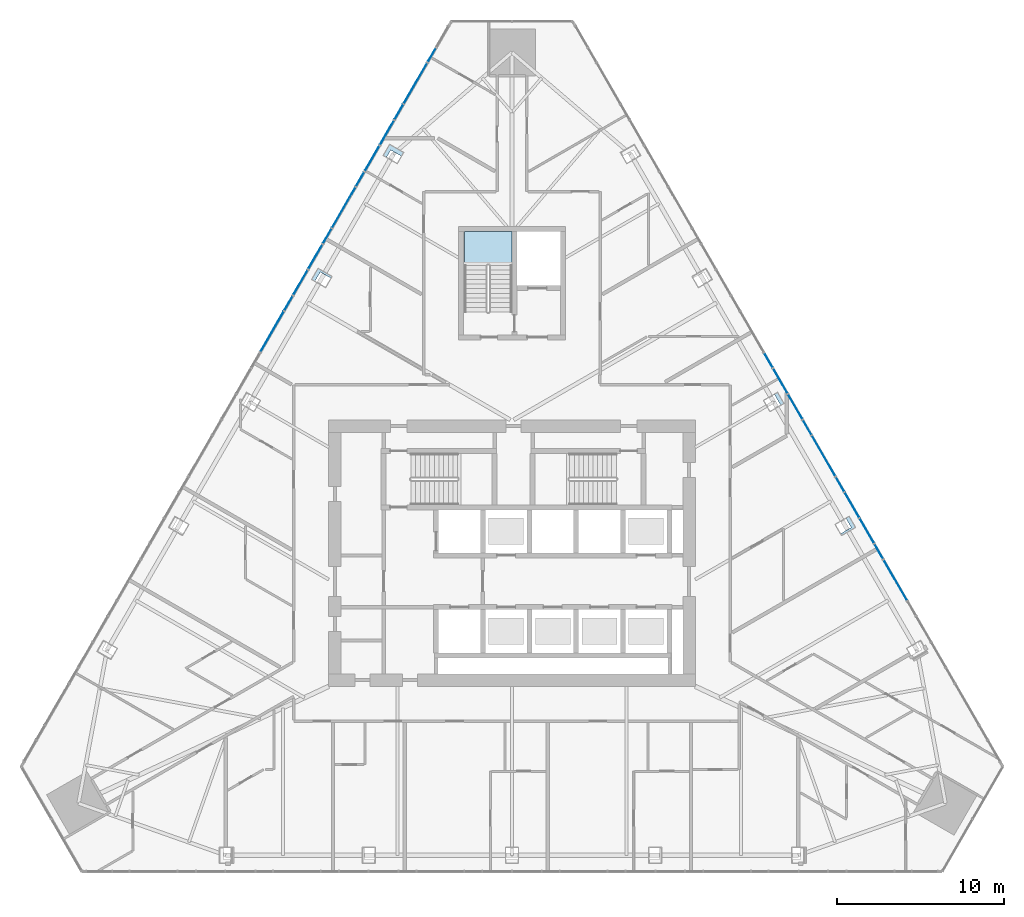
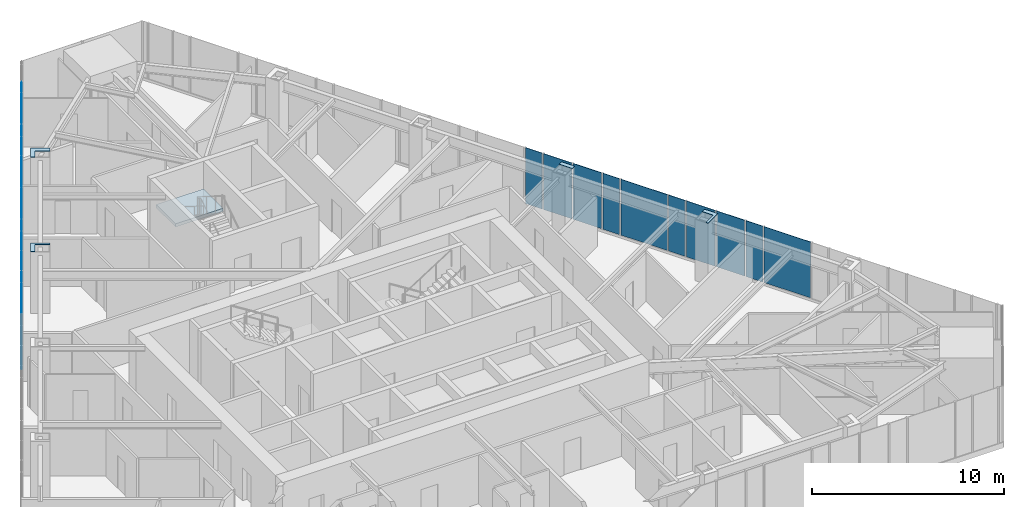
# One storey, part 16 of 24: 27 plates, 1 slab, 3 elements without a shape of their own.
"""IFC4 building model written with IfcOpenShell, lengths in metres."""

from ifc_helpers import new_model, si_unit, direction, frame, origin, place, context, subcontext, project, spatial, polyline, outline, extrude, material, layer, layer_set, type_object, element, aggregate, save


model = new_model("IFC4")

# Units and contexts
model_context = context("Model", 3, precision=1e-05, world=origin(), true_north=direction((0.0, 1.0)))
body_context = subcontext(model_context, "Body", "Model", "MODEL_VIEW")
ifc_project = project(units=[si_unit("LENGTHUNIT", "METRE"), si_unit("AREAUNIT", "SQUARE_METRE"), si_unit("VOLUMEUNIT", "CUBIC_METRE"), si_unit("PLANEANGLEUNIT", "RADIAN"), si_unit("MASSUNIT", "GRAM", prefix="KILO")], contexts=[model_context])

# Site, building, storey
site_placement = place(None, origin())
site = spatial("IfcSite", under=ifc_project, at=site_placement, CompositionType="ELEMENT")
building_placement = place(site_placement, origin())
building = spatial("IfcBuilding", under=site, at=building_placement, Name="Firuza Gate Tower and Library", CompositionType="ELEMENT")
storey_placement = place(building_placement, frame((0.0, 0.0, 206.5)))
storey = spatial("IfcBuildingStorey", under=building, at=storey_placement, Name="L48", CompositionType="ELEMENT", Elevation=206.5)

# Plates
ifc_material_1 = material(Name="Steel S355", Category="steel")
ifc_layer_1 = layer(ifc_material_1, 0.030029296875)
ifc_layer_set_1 = layer_set([ifc_layer_1], Name="Column infill plate 30 Steel S355")
plate_type_1 = type_object("IfcPlateType", Name="Column infill plate 30 Steel S355", PredefinedType="SHEET", material=ifc_layer_set_1)
placement_1 = place(storey_placement, frame((0.0, 0.0, 3.89990234375)))
element("IfcPlate", 1, at=placement_1, inside=storey, type_object=plate_type_1, Name="Infill plate L48:E2", PredefinedType="SHEET", context=body_context, shape_type="SweptSolid", body=[
    extrude(outline(polyline([(95.240966796875, 77.224853515625), (95.033935546875, 77.105224609375), (95.364990234375, 76.531982421875), (94.7060546875, 76.151611328125), (94.775146484375, 76.031982421875), (95.64111328125, 76.531982421875), (95.240966796875, 77.224853515625)])), origin(), (0.0, 0.0, 1.0), 0.030029296875),
])
element("IfcPlate", 2, at=placement_1, inside=storey, type_object=plate_type_1, Name="Infill plate L48:E3", PredefinedType="SHEET", context=body_context, shape_type="SweptSolid", body=[
    extrude(outline(polyline([(90.078125, 84.167236328125), (90.078125, 84.167236328125), (90.737060546875, 84.547607421875), (91.13720703125, 83.85498046875), (91.34423828125, 83.974365234375), (90.944091796875, 84.667236328125), (90.078125, 84.167236328125)])), origin(), (0.0, 0.0, 1.0), 0.030029296875),
])
element("IfcPlate", 3, at=placement_1, inside=storey, type_object=plate_type_1, Name="Infill plate L48:W1", PredefinedType="SHEET", context=body_context, shape_type="SweptSolid", body=[
    extrude(outline(polyline([(67.24951171875, 98.859130859375), (67.45654296875, 98.73974609375), (67.718505859375, 99.193359375), (68.37744140625, 98.81298828125), (68.515625, 99.052001953125), (67.649658203125, 99.552001953125), (67.24951171875, 98.859130859375)])), origin(), (0.0, 0.0, 1.0), 0.030029296875),
])
element("IfcPlate", 4, at=placement_1, inside=storey, type_object=plate_type_1, Name="Infill plate L48:W2", PredefinedType="SHEET", context=body_context, shape_type="SweptSolid", body=[
    extrude(outline(polyline([(62.95263671875, 91.416748046875), (63.15966796875, 91.29736328125), (63.49072265625, 91.87060546875), (64.149658203125, 91.489990234375), (64.21875, 91.609619140625), (63.352783203125, 92.109619140625), (62.95263671875, 91.416748046875)])), origin(), (0.0, 0.0, 1.0), 0.030029296875),
])

# Curtain wall, plates
ifc_material_2 = material(Name="Aluminium 6063-T6", Category="aluminium")
ifc_layer_2 = layer(ifc_material_2, 0.14990234375)
ifc_layer_set_2 = layer_set([ifc_layer_2], Name="Unitised curtain wall, hotel")
curtain_wall_type = type_object("IfcCurtainWallType", Name="Unitised curtain wall, hotel", PredefinedType="NOTDEFINED", material=ifc_layer_set_2)
placement_2 = place(storey_placement, origin())
curtain_wall_1 = element("IfcCurtainWall", 5, at=placement_2, inside=storey, type_object=curtain_wall_type, Name="CW2 L48 E face", PredefinedType="NOTDEFINED")
ifc_material_3 = material(Name="Fritted glass", Category="glass")
ifc_layer_3 = layer(ifc_material_3, 0.030029296875)
ifc_layer_set_3 = layer_set([ifc_layer_3], Name="Fritted glass unit, hotel")
plate_type_2 = type_object("IfcPlateType", Name="Fritted glass unit, hotel", PredefinedType="CURTAIN_PANEL", material=ifc_layer_set_3)
plate_5_placement = place(storey_placement, frame((96.73876953125, 75.611083984375, 0.14990234375), z_axis=(0.865978937756, 0.500080472886, 0.0), x_axis=(-0.500080472886, 0.865978937756, 0.0)))
plate_5 = element("IfcPlate", 6, at=plate_5_placement, type_object=plate_type_2, Name="Glass unit", PredefinedType="CURTAIN_PANEL", context=body_context, shape_type="SweptSolid", body=[
    extrude(outline(polyline([(0.0, 0.0), (1.6921104744722206, 0.0), (1.6921104744722206, 3.550048828125), (0.0, 3.550048828125), (0.0, 0.0)])), origin(), (0.0, 0.0, -1.0), 0.030029296875),
])
plate_6_placement = place(storey_placement, frame((95.8525390625, 77.1455078125, 0.14990234375), z_axis=(0.866069837128, 0.499923031292, 0.0), x_axis=(-0.499923031292, 0.866069837128, 0.0)))
plate_6 = element("IfcPlate", 7, at=plate_6_placement, type_object=plate_type_2, Name="Glass unit", PredefinedType="CURTAIN_PANEL", context=body_context, shape_type="SweptSolid", body=[
    extrude(outline(polyline([(0.0, 0.0), (1.720968046372708, 0.0), (1.720968046372708, 3.550048828125), (0.0, 3.550048828125), (0.0, 0.0)])), origin(), (0.0, 0.0, -1.0), 0.030029296875),
])
plate_7_placement = place(storey_placement, frame((92.44189453125, 83.053466796875, 0.14990234375), z_axis=(0.866006890829, 0.500032064009, 0.0), x_axis=(-0.500032064009, 0.866006890829, 0.0)))
plate_7 = element("IfcPlate", 8, at=plate_7_placement, type_object=plate_type_2, Name="Glass unit", PredefinedType="CURTAIN_PANEL", context=body_context, shape_type="SweptSolid", body=[
    extrude(outline(polyline([(0.0, 0.0), (1.7064335385493044, 0.0), (1.7064335385493044, 3.550048828125), (0.0, 3.550048828125), (0.0, 0.0)])), origin(), (0.0, 0.0, -1.0), 0.030029296875),
])
plate_8_placement = place(storey_placement, frame((91.548583984375, 84.6005859375, 0.14990234375), z_axis=(0.866006890829, 0.500032064009, 0.0), x_axis=(-0.500032064009, 0.866006890829, 0.0)))
plate_8 = element("IfcPlate", 9, at=plate_8_placement, type_object=plate_type_2, Name="Glass unit", PredefinedType="CURTAIN_PANEL", context=body_context, shape_type="SweptSolid", body=[
    extrude(outline(polyline([(0.0, 0.0), (1.7064335385493044, 0.0), (1.7064335385493044, 3.550048828125), (0.0, 3.550048828125), (0.0, 0.0)])), origin(), (0.0, 0.0, -1.0), 0.030029296875),
])

curtain_wall_2 = element("IfcCurtainWall", 10, at=placement_2, inside=storey, type_object=curtain_wall_type, Name="CW2 L48 W face", PredefinedType="NOTDEFINED")
plate_9_placement = place(storey_placement, frame((67.8984375, 100.963134765625, 0.14990234375), z_axis=(-0.866013522419, 0.500020578564, 0.0), x_axis=(-0.500020578564, -0.866013522419, 0.0)))
plate_9 = element("IfcPlate", 11, at=plate_9_placement, type_object=plate_type_2, Name="Glass unit", PredefinedType="CURTAIN_PANEL", context=body_context, shape_type="SweptSolid", body=[
    extrude(outline(polyline([(0.0, 0.0), (1.6776653271145585, 0.0), (1.6776653271145585, 3.550048828125), (0.0, 3.550048828125), (0.0, 0.0)])), origin(), (0.0, 0.0, -1.0), 0.030029296875),
])
plate_10_placement = place(storey_placement, frame((67.01953125, 99.44091796875, 0.14990234375), z_axis=(-0.866000478986, 0.500043168532, 0.0), x_axis=(-0.500043168532, -0.866000478986, 0.0)))
plate_10 = element("IfcPlate", 12, at=plate_10_placement, type_object=plate_type_2, Name="Glass unit", PredefinedType="CURTAIN_PANEL", context=body_context, shape_type="SweptSolid", body=[
    extrude(outline(polyline([(0.0, 0.0), (1.7352017502742487, 0.0), (1.7352017502742487, 1.735107421875), (0.0, 1.735107421875), (0.0, 0.0)])), origin(), (0.0, 0.0, -1.0), 0.030029296875),
])
plate_11_placement = place(storey_placement, frame((67.01953125, 99.44091796875, 1.965087890625), z_axis=(-0.866036909293, 0.499980071345, 0.0), x_axis=(-0.499980071345, -0.866036909293, 0.0)))
plate_11 = element("IfcPlate", 13, at=plate_11_placement, type_object=plate_type_2, Name="Glass unit", PredefinedType="CURTAIN_PANEL", context=body_context, shape_type="SweptSolid", body=[
    extrude(outline(polyline([(0.0, 0.0), (2.789173668961919, 0.0), (2.789173668961919, 1.73486328125), (0.0, 1.73486328125), (0.0, 0.0)])), origin(), (0.0, 0.0, -1.0), 0.030029296875),
])
plate_12_placement = place(storey_placement, frame((63.6015625, 93.520751953125, 0.14990234375), z_axis=(-0.866041418028, 0.499972261491, 0.0), x_axis=(-0.499972261491, -0.866041418028, 0.0)))
plate_12 = element("IfcPlate", 14, at=plate_12_placement, type_object=plate_type_2, Name="Glass unit", PredefinedType="CURTAIN_PANEL", context=body_context, shape_type="SweptSolid", body=[
    extrude(outline(polyline([(0.0, 0.0), (1.6919883977219423, 0.0), (1.6919883977219423, 3.550048828125), (0.0, 3.550048828125), (0.0, 0.0)])), origin(), (0.0, 0.0, -1.0), 0.030029296875),
])
plate_13_placement = place(storey_placement, frame((62.715576171875, 91.986083984375, 0.14990234375), z_axis=(-0.86597293925, 0.500090860232, 0.0), x_axis=(-0.500090860232, -0.86597293925, 0.0)))
plate_13 = element("IfcPlate", 15, at=plate_13_placement, type_object=plate_type_2, Name="Glass unit", PredefinedType="CURTAIN_PANEL", context=body_context, shape_type="SweptSolid", body=[
    extrude(outline(polyline([(0.0, 0.0), (1.7208786873771358, 0.0), (1.7208786873771358, 3.550048828125), (0.0, 3.550048828125), (0.0, 0.0)])), origin(), (0.0, 0.0, -1.0), 0.030029296875),
])

# Plate
ifc_material_4 = material(Name="Glazed ceramic tile")
ifc_layer_4 = layer(ifc_material_4, 0.030029296875)
ifc_layer_set_4 = layer_set([ifc_layer_4], Name="Opaque ceramic panel, hotel")
plate_type_3 = type_object("IfcPlateType", Name="Opaque ceramic panel, hotel", PredefinedType="CURTAIN_PANEL", material=ifc_layer_set_4)
plate_14_placement = place(storey_placement, frame((98.721923828125, 72.17578125, 0.14990234375), z_axis=(0.866036909293, 0.499980071345, 0.0), x_axis=(-0.499980071345, 0.866036909293, 0.0)))
plate_14 = element("IfcPlate", 16, at=plate_14_placement, type_object=plate_type_3, Name="Opaque ceramic panel", PredefinedType="CURTAIN_PANEL", context=body_context, shape_type="SweptSolid", body=[
    extrude(outline(polyline([(0.0, 0.0), (2.789173668961919, 0.0), (2.789173668961919, 3.550048828125), (0.0, 3.550048828125), (0.0, 0.0)])), origin(), (0.0, 0.0, -1.0), 0.030029296875),
])

plate_15_placement = place(storey_placement, frame((97.287353515625, 74.66064453125, 0.14990234375), z_axis=(0.865989775611, 0.500061704731, 0.0), x_axis=(-0.500061704731, 0.865989775611, 0.0)))
plate_15 = element("IfcPlate", 17, at=plate_15_placement, type_object=plate_type_3, Name="Opaque ceramic panel", PredefinedType="CURTAIN_PANEL", context=body_context, shape_type="SweptSolid", body=[
    extrude(outline(polyline([(0.0, 0.0), (1.0174525617277514, 0.0), (1.0174525617277514, 3.550048828125), (0.0, 3.550048828125), (0.0, 0.0)])), origin(), (0.0, 0.0, -1.0), 0.030029296875),
])

plate_16_placement = place(storey_placement, frame((94.9521484375, 78.705322265625, 0.14990234375), z_axis=(0.866045730533, 0.499964791386, 0.0), x_axis=(-0.499964791386, 0.866045730533, 0.0)))
plate_16 = element("IfcPlate", 18, at=plate_16_placement, type_object=plate_type_3, Name="Opaque ceramic panel", PredefinedType="CURTAIN_PANEL", context=body_context, shape_type="SweptSolid", body=[
    extrude(outline(polyline([(0.0, 0.0), (0.9883508469271952, 0.0), (0.9883508469271952, 3.550048828125), (0.0, 3.550048828125), (0.0, 0.0)])), origin(), (0.0, 0.0, -1.0), 0.030029296875),
])

plate_17_placement = place(storey_placement, frame((94.41796875, 79.630615234375, 0.14990234375), z_axis=(0.865999007209, 0.500045717423, 0.0), x_axis=(-0.500045717423, 0.865999007209, 0.0)))
plate_17 = element("IfcPlate", 19, at=plate_17_placement, type_object=plate_type_3, Name="Opaque ceramic panel", PredefinedType="CURTAIN_PANEL", context=body_context, shape_type="SweptSolid", body=[
    extrude(outline(polyline([(0.0, 0.0), (2.7892957424226377, 0.0), (2.7892957424226377, 3.550048828125), (0.0, 3.550048828125), (0.0, 0.0)])), origin(), (0.0, 0.0, -1.0), 0.030029296875),
])

plate_18_placement = place(storey_placement, frame((92.983154296875, 82.115478515625, 0.14990234375), z_axis=(0.866047774678, 0.499961250474, 0.0), x_axis=(-0.499961250474, 0.866047774678, 0.0)))
plate_18 = element("IfcPlate", 20, at=plate_18_placement, type_object=plate_type_3, Name="Opaque ceramic panel", PredefinedType="CURTAIN_PANEL", context=body_context, shape_type="SweptSolid", body=[
    extrude(outline(polyline([(0.0, 0.0), (1.0030074196233945, 0.0), (1.0030074196233945, 3.550048828125), (0.0, 3.550048828125), (0.0, 0.0)])), origin(), (0.0, 0.0, -1.0), 0.030029296875),
])

plate_19_placement = place(storey_placement, frame((90.6552734375, 86.147705078125, 0.14990234375), z_axis=(0.865986912717, 0.500066662559, 0.0), x_axis=(-0.500066662559, 0.865986912717, 0.0)))
plate_19 = element("IfcPlate", 21, at=plate_19_placement, type_object=plate_type_3, Name="Opaque ceramic panel", PredefinedType="CURTAIN_PANEL", context=body_context, shape_type="SweptSolid", body=[
    extrude(outline(polyline([(0.0, 0.0), (1.0027959896070602, 0.0), (1.0027959896070602, 3.550048828125), (0.0, 3.550048828125), (0.0, 0.0)])), origin(), (0.0, 0.0, -1.0), 0.030029296875),
])

aggregate(curtain_wall_1, [plate_14, plate_15, plate_5, plate_6, plate_16, plate_17, plate_18, plate_7, plate_8, plate_19])

plate_20_placement = place(storey_placement, frame((70.408935546875, 105.311279296875, 0.14990234375), z_axis=(-0.865948320045, 0.500133489192, 0.0), x_axis=(-0.500133489192, -0.865948320045, 0.0)))
plate_20 = element("IfcPlate", 22, at=plate_20_placement, type_object=plate_type_3, Name="Opaque ceramic panel", PredefinedType="CURTAIN_PANEL", context=body_context, shape_type="SweptSolid", body=[
    extrude(outline(polyline([(0.0, 0.0), (0.9597047170860381, 0.0), (0.9597047170860381, 3.550048828125), (0.0, 3.550048828125), (0.0, 0.0)])), origin(), (0.0, 0.0, -1.0), 0.030029296875),
])

plate_21_placement = place(storey_placement, frame((69.888916015625, 104.410888671875, 0.14990234375), z_axis=(-0.866036909293, 0.499980071345, 0.0), x_axis=(-0.499980071345, -0.866036909293, 0.0)))
plate_21 = element("IfcPlate", 23, at=plate_21_placement, type_object=plate_type_3, Name="Opaque ceramic panel", PredefinedType="CURTAIN_PANEL", context=body_context, shape_type="SweptSolid", body=[
    extrude(outline(polyline([(0.0, 0.0), (2.789173668961919, 0.0), (2.789173668961919, 3.550048828125), (0.0, 3.550048828125), (0.0, 0.0)])), origin(), (0.0, 0.0, -1.0), 0.030029296875),
])

plate_22_placement = place(storey_placement, frame((68.454345703125, 101.926025390625, 0.14990234375), z_axis=(-0.866035853028, 0.499981900942, 0.0), x_axis=(-0.499981900942, -0.866035853028, 0.0)))
plate_22 = element("IfcPlate", 24, at=plate_22_placement, type_object=plate_type_3, Name="Opaque ceramic panel", PredefinedType="CURTAIN_PANEL", context=body_context, shape_type="SweptSolid", body=[
    extrude(outline(polyline([(0.0, 0.0), (1.031775629583486, 0.0), (1.031775629583486, 3.550048828125), (0.0, 3.550048828125), (0.0, 0.0)])), origin(), (0.0, 0.0, -1.0), 0.030029296875),
])

plate_23_placement = place(storey_placement, frame((66.112060546875, 97.868896484375, 0.14990234375), z_axis=(-0.865997745606, 0.500047902311, 0.0), x_axis=(-0.500047902311, -0.865997745606, 0.0)))
plate_23 = element("IfcPlate", 25, at=plate_23_placement, type_object=plate_type_3, Name="Opaque ceramic panel", PredefinedType="CURTAIN_PANEL", context=body_context, shape_type="SweptSolid", body=[
    extrude(outline(polyline([(0.0, 0.0), (0.974027777387345, 0.0), (0.974027777387345, 1.735107421875), (0.0, 1.735107421875), (0.0, 0.0)])), origin(), (0.0, 0.0, -1.0), 0.030029296875),
])

plate_24_placement = place(storey_placement, frame((65.5849609375, 96.9560546875, 0.14990234375), z_axis=(-0.866020890646, 0.500007816904, 0.0), x_axis=(-0.500007816904, -0.866020890646, 0.0)))
plate_24 = element("IfcPlate", 26, at=plate_24_placement, type_object=plate_type_3, Name="Opaque ceramic panel", PredefinedType="CURTAIN_PANEL", context=body_context, shape_type="SweptSolid", body=[
    extrude(outline(polyline([(0.0, 0.0), (2.789507170632926, 0.0), (2.789507170632926, 3.550048828125), (0.0, 3.550048828125), (0.0, 0.0)])), origin(), (0.0, 0.0, -1.0), 0.030029296875),
])

plate_25_placement = place(storey_placement, frame((64.150146484375, 94.47119140625, 0.14990234375), z_axis=(-0.866093680549, 0.499881722523, 0.0), x_axis=(-0.499881722523, -0.866093680549, 0.0)))
plate_25 = element("IfcPlate", 27, at=plate_25_placement, type_object=plate_type_3, Name="Opaque ceramic panel", PredefinedType="CURTAIN_PANEL", context=body_context, shape_type="SweptSolid", body=[
    extrude(outline(polyline([(0.0, 0.0), (1.0173304983197862, 0.0), (1.0173304983197862, 3.550048828125), (0.0, 3.550048828125), (0.0, 0.0)])), origin(), (0.0, 0.0, -1.0), 0.030029296875),
])

plate_26_placement = place(storey_placement, frame((61.815185546875, 90.426513671875, 0.14990234375), z_axis=(-0.866000531106, 0.500043078269, 0.0), x_axis=(-0.500043078269, -0.866000531106, 0.0)))
plate_26 = element("IfcPlate", 28, at=plate_26_placement, type_object=plate_type_3, Name="Opaque ceramic panel", PredefinedType="CURTAIN_PANEL", context=body_context, shape_type="SweptSolid", body=[
    extrude(outline(polyline([(0.0, 0.0), (0.9886843496294505, 0.0), (0.9886843496294505, 3.550048828125), (0.0, 3.550048828125), (0.0, 0.0)])), origin(), (0.0, 0.0, -1.0), 0.030029296875),
])

plate_27_placement = place(storey_placement, frame((61.28076171875, 89.501220703125, 0.14990234375), z_axis=(-0.866058787942, 0.499942172484, 0.0), x_axis=(-0.499942172484, -0.866058787942, 0.0)))
plate_27 = element("IfcPlate", 29, at=plate_27_placement, type_object=plate_type_3, Name="Opaque ceramic panel", PredefinedType="CURTAIN_PANEL", context=body_context, shape_type="SweptSolid", body=[
    extrude(outline(polyline([(0.0, 0.0), (2.789385106425062, 0.0), (2.789385106425062, 3.550048828125), (0.0, 3.550048828125), (0.0, 0.0)])), origin(), (0.0, 0.0, -1.0), 0.030029296875),
])

aggregate(curtain_wall_2, [plate_20, plate_21, plate_22, plate_9, plate_10, plate_23, plate_11, plate_24, plate_25, plate_12, plate_13, plate_26, plate_27])

# Stair, slab
ifc_material_5 = material(Name="Concrete C35/45", Category="concrete")
stair_type = type_object("IfcStairType", Name="Exit stair ST16", PredefinedType="HALF_TURN_STAIR", material=ifc_material_5)
stair = element("IfcStair", 30, at=placement_2, inside=storey, type_object=stair_type, Name="L48 Stair ST3", PredefinedType="HALF_TURN_STAIR")
ifc_material_6 = material(Name="Concrete C35/45", Category="concrete")
ifc_layer_5 = layer(ifc_material_6, 0.199951171875)
ifc_layer_set_5 = layer_set([ifc_layer_5], Name="Stair landing 200")
slab_type = type_object("IfcSlabType", Name="Stair landing 200", PredefinedType="LANDING", material=ifc_layer_set_5)
slab_placement = place(storey_placement, frame((0.0, 0.0, 1.75)))
slab = element("IfcSlab", 31, at=slab_placement, type_object=slab_type, Name="ST3 landing 1", PredefinedType="LANDING", context=body_context, shape_type="SweptSolid", body=[
    extrude(outline(polyline([(75.0, 92.27001953125), (75.0, 94.300048828125), (72.159912109375, 94.300048828125), (72.159912109375, 92.27001953125), (75.0, 92.27001953125)])), origin(), (0.0, 0.0, 1.0), 0.199951171875),
])
aggregate(stair, [slab])

save(model, "model.ifc")
